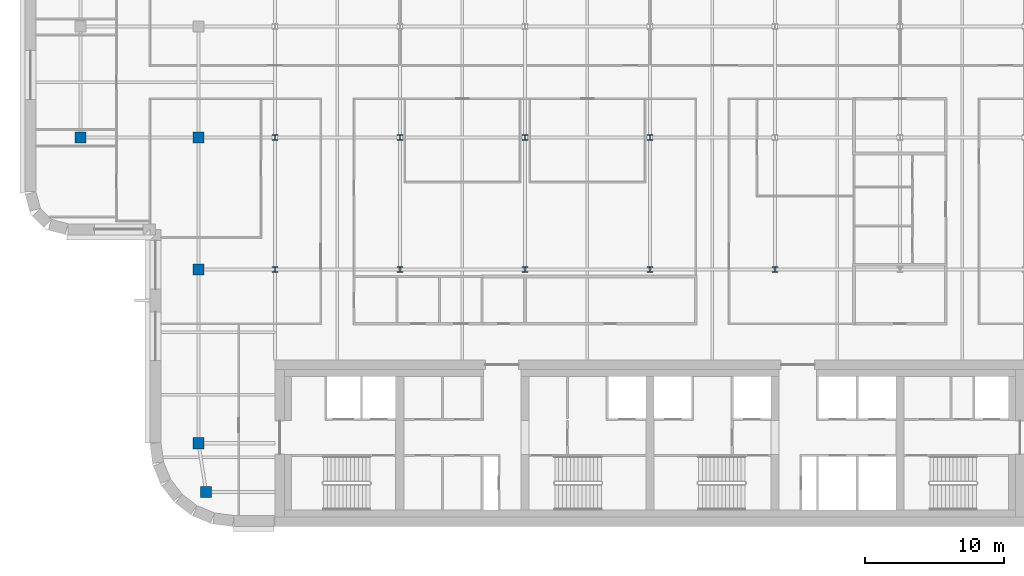
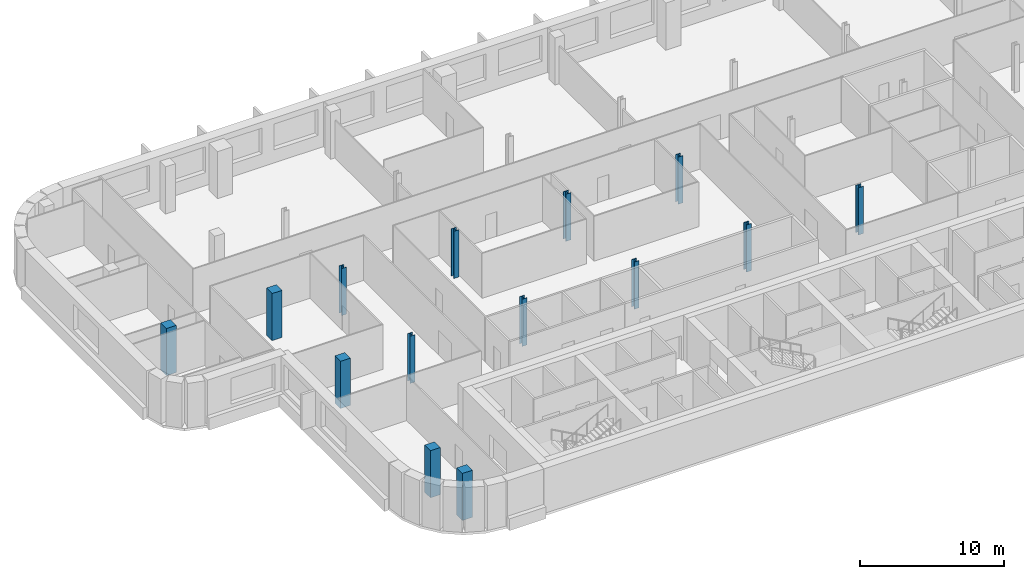
# One storey, part 1 of 17: 14 columns.
"""IFC4 building model written with IfcOpenShell, lengths in metres."""

from ifc_helpers import new_model, si_unit, direction, frame, origin, origin_2d, place, context, subcontext, project, spatial, rectangle, i_section, extrude, material, material_profile, profile_set, type_object, element, save


model = new_model("IFC4")

# Units and contexts
model_context = context("Model", 3, precision=1e-05, world=origin(), true_north=direction((0.0, 1.0)))
body_context = subcontext(model_context, "Body", "Model", "MODEL_VIEW")
ifc_project = project(units=[si_unit("LENGTHUNIT", "METRE"), si_unit("AREAUNIT", "SQUARE_METRE"), si_unit("VOLUMEUNIT", "CUBIC_METRE"), si_unit("PLANEANGLEUNIT", "RADIAN"), si_unit("MASSUNIT", "GRAM", prefix="KILO")], contexts=[model_context])

# Site, building, storey
site_placement = place(None, origin())
site = spatial("IfcSite", under=ifc_project, at=site_placement, CompositionType="ELEMENT")
building_placement = place(site_placement, origin())
building = spatial("IfcBuilding", under=site, at=building_placement, Name="Zellij Exchange Tower", CompositionType="ELEMENT")
storey_placement = place(building_placement, frame((0.0, 0.0, 224.5)))
storey = spatial("IfcBuildingStorey", under=building, at=storey_placement, Name="L52", CompositionType="ELEMENT", Elevation=224.5)

# Columns
ifc_material_1 = material(Name="Concrete C50/60", Category="concrete")
ifc_material_profile_1 = material_profile(ifc_material_1, rectangle(XDim=0.800048828125, YDim=0.800048828125, at=origin_2d()), Name="STR-COLUMN RC800x800 C50/60")
ifc_profile_set_1 = profile_set([ifc_material_profile_1], Name="Concrete C50/60")
column_type_1 = type_object("IfcColumnType", Name="STR-COLUMN RC800x800 C50/60", PredefinedType="COLUMN", material=ifc_profile_set_1)
for number, where, z_axis, x_axis, name in (
    (1, (-31.949951171875, -11.5, 0.0), (0.0, 0.0, 1.0), (1.0, 0.0, 0.0), "C15"),
    (2, (-32.5, -8.0, 0.0), (0.0, 0.0, 1.0), (1.0, 0.0, 0.0), "C15"),
    (3, (-32.5, 4.5, 0.0), (0.0, 0.0, 1.0), (1.0, 0.0, 0.0), "C15"),
    (4, (-41.0, 14.0, 0.0), (0.0, 0.0, 1.0), (1.0, 0.0, 0.0), "C15"),
    (5, (-32.5, 14.0, 0.0), (0.0, 0.0, 1.0), (1.0, 0.0, 0.0), "C15"),
):
    element("IfcColumn", number, at=place(storey_placement, frame(where, z_axis=z_axis, x_axis=x_axis)), inside=storey, type_object=column_type_1, Name=name, PredefinedType="COLUMN", context=body_context, shape_type="SweptSolid", body=[
        extrude(rectangle(XDim=0.800048828125, YDim=0.800048828125, at=origin_2d()), origin(), (0.0, 0.0, 1.0), 4.0),
    ])
ifc_material_2 = material(Name="Structural steel ASTM A992 Gr 50", Category="steel")
ifc_material_profile_2 = material_profile(ifc_material_2, i_section(OverallWidth=0.398681640625, OverallDepth=0.385986328125, WebThickness=0.02099609375, FlangeThickness=0.033203125, at=origin_2d()), Name="W14x176")
ifc_profile_set_2 = profile_set([ifc_material_profile_2], Name="Structural steel ASTM A992 Gr 50")
column_type_2 = type_object("IfcColumnType", Name="STR-COLUMN W14x176", PredefinedType="COLUMN", material=ifc_profile_set_2)
for number, where, z_axis, x_axis, name in (
    (6, (-27.0, 4.5, 0.0), (0.0, 0.0, 1.0), (1.0, 0.0, 0.0), "C2"),
    (7, (-18.0, 4.5, 0.0), (0.0, 0.0, 1.0), (1.0, 0.0, 0.0), "C2"),
    (8, (-9.0, 4.5, 0.0), (0.0, 0.0, 1.0), (1.0, 0.0, 0.0), "C2"),
    (9, (0.0, 4.5, 0.0), (0.0, 0.0, 1.0), (1.0, 0.0, 0.0), "C2"),
    (10, (9.0, 4.5, 0.0), (0.0, 0.0, 1.0), (1.0, 0.0, 0.0), "C2"),
    (11, (-27.0, 14.0, 0.0), (0.0, 0.0, 1.0), (1.0, 0.0, 0.0), "C2"),
    (12, (-18.0, 14.0, 0.0), (0.0, 0.0, 1.0), (1.0, 0.0, 0.0), "C2"),
    (13, (-9.0, 14.0, 0.0), (0.0, 0.0, 1.0), (1.0, 0.0, 0.0), "C2"),
    (14, (0.0, 14.0, 0.0), (0.0, 0.0, 1.0), (1.0, 0.0, 0.0), "C2"),
):
    element("IfcColumn", number, at=place(storey_placement, frame(where, z_axis=z_axis, x_axis=x_axis)), inside=storey, type_object=column_type_2, Name=name, PredefinedType="COLUMN", context=body_context, shape_type="SweptSolid", body=[
        extrude(i_section(OverallWidth=0.398681640625, OverallDepth=0.385986328125, WebThickness=0.02099609375, FlangeThickness=0.033203125, at=origin_2d()), origin(), (0.0, 0.0, 1.0), 4.0),
    ])

save(model, "model.ifc")
